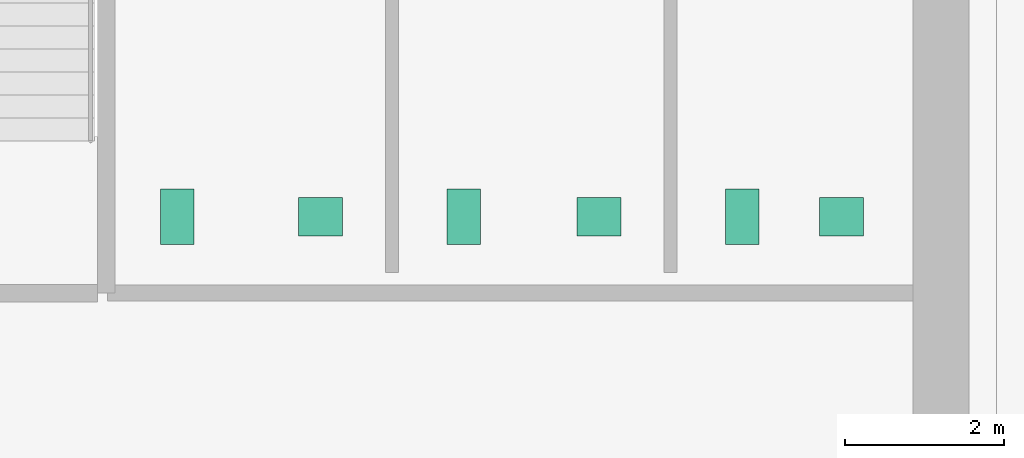
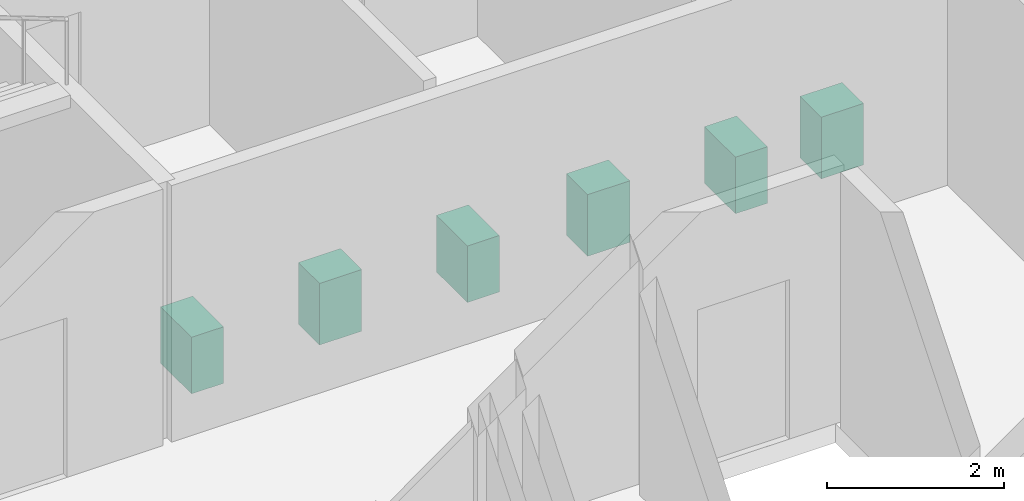
# One storey, part 12 of 12: 6 sanitary terminals.
"""IFC4 building model written with IfcOpenShell, lengths in metres."""

from ifc_helpers import new_model, si_unit, direction, frame, origin, origin_2d, place, context, subcontext, project, spatial, rectangle, extrude, material, type_object, element, save


model = new_model("IFC4")

# Units and contexts
model_context = context("Model", 3, precision=1e-05, world=origin(), true_north=direction((0.0, 1.0)))
body_context = subcontext(model_context, "Body", "Model", "MODEL_VIEW")
ifc_project = project(units=[si_unit("LENGTHUNIT", "METRE"), si_unit("AREAUNIT", "SQUARE_METRE"), si_unit("VOLUMEUNIT", "CUBIC_METRE"), si_unit("PLANEANGLEUNIT", "RADIAN"), si_unit("MASSUNIT", "GRAM", prefix="KILO")], contexts=[model_context])

# Site, building, storey
site_placement = place(None, origin())
site = spatial("IfcSite", under=ifc_project, at=site_placement, CompositionType="ELEMENT")
building_placement = place(site_placement, origin())
building = spatial("IfcBuilding", under=site, at=building_placement, Name="Norrvale University Quadrangle", CompositionType="ELEMENT")
storey_placement = place(building_placement, frame((0.0, 0.0, 199.0)))
storey = spatial("IfcBuildingStorey", under=building, at=storey_placement, Name="L50", CompositionType="ELEMENT", Elevation=199.0)

# Sanitary terminals
ifc_material = material(Name="Vitreous China Sanitaryware")
sanitary_terminal_type_1 = type_object("IfcSanitaryTerminalType", Name="Sanitary Wash Basin", PredefinedType="WASHHANDBASIN", material=ifc_material)
for number, where, z_axis, x_axis, name in (
    (1, (9.0, 41.10009765625, 0.0), (0.0, 0.0, 1.0), (1.0, 0.0, 0.0), "Accessible Countertop Washbasin L50-1"),
    (2, (12.5, 41.10009765625, 0.0), (0.0, 0.0, 1.0), (1.0, 0.0, 0.0), "Accessible Countertop Washbasin L50-2"),
    (3, (15.550048828125, 41.10009765625, 0.0), (0.0, 0.0, 1.0), (1.0, 0.0, 0.0), "Accessible Countertop Washbasin L50-3"),
):
    element("IfcSanitaryTerminal", number, at=place(storey_placement, frame(where, z_axis=z_axis, x_axis=x_axis)), inside=storey, type_object=sanitary_terminal_type_1, Name=name, PredefinedType="WASHHANDBASIN", context=body_context, shape_type="SweptSolid", body=[
        extrude(rectangle(XDim=0.550048828125, YDim=0.47998046875, at=origin_2d()), origin(), (0.0, 0.0, 1.0), 0.85009765625),
    ])
sanitary_terminal_type_2 = type_object("IfcSanitaryTerminalType", Name="Sanitary Water Closet", PredefinedType="TOILETPAN", material=ifc_material)
for number, where, z_axis, x_axis, name in (
    (4, (7.199951171875, 41.10009765625, 0.0), (0.0, 0.0, 1.0), (1.0, 0.0, 0.0), "Wall-Hung Water Closet L50-1"),
    (5, (10.800048828125, 41.10009765625, 0.0), (0.0, 0.0, 1.0), (1.0, 0.0, 0.0), "Wall-Hung Water Closet L50-2"),
    (6, (14.300048828125, 41.10009765625, 0.0), (0.0, 0.0, 1.0), (1.0, 0.0, 0.0), "Wall-Hung Water Closet L50-3"),
):
    element("IfcSanitaryTerminal", number, at=place(storey_placement, frame(where, z_axis=z_axis, x_axis=x_axis)), inside=storey, type_object=sanitary_terminal_type_2, Name=name, PredefinedType="TOILETPAN", context=body_context, shape_type="SweptSolid", body=[
        extrude(rectangle(XDim=0.419921875, YDim=0.699951171875, at=origin_2d()), origin(), (0.0, 0.0, 1.0), 0.780029296875),
    ])

save(model, "model.ifc")
